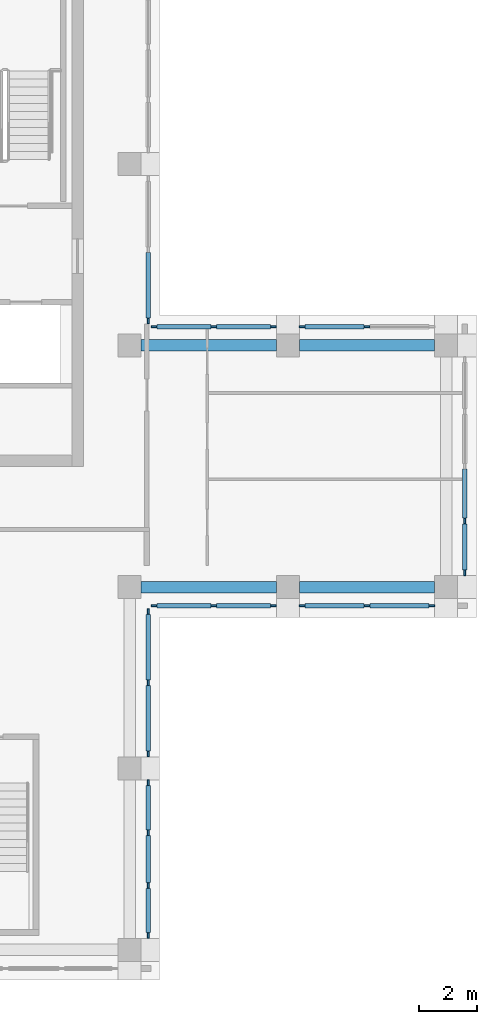
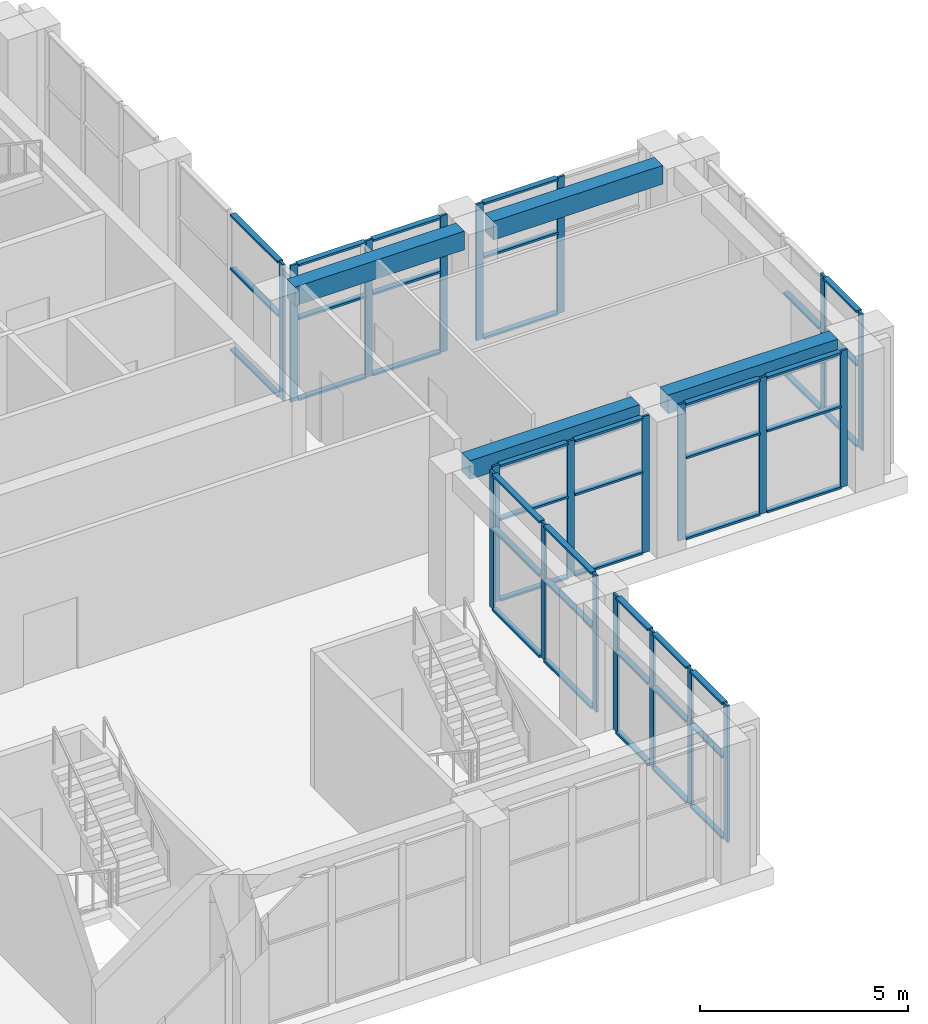
# One storey, part 5 of 14: 65 members, 4 beams, 8 elements without a shape of their own.
"""IFC4 building model written with IfcOpenShell, lengths in metres."""

import ifcopenshell
import ifcopenshell.guid

model = None  # the IFC model being written
_history = None  # IfcOwnerHistory: only IFC2X3 demands one
_inside = {}  # id of a spatial element -> (the spatial element, [elements in it])
_under = {}  # id of a project, library or spatial element -> (it, [spatial elements below it])
_declared = {}  # id of a project -> (the project, [libraries it declares])
_typed = {}  # id of a type object -> (the type object, [elements of that type])
_made_of = {}  # id of a material, layer set ... -> (it, [elements and type objects made of it])


def new_model(schema):
    """Start an empty IFC model of exactly this schema.

    Asked for "IFC4X3", IfcOpenShell would pick the latest addendum, in which some entities
    have other attributes; the version numbers below select the first issue.
    IFC2X3 requires an IfcOwnerHistory on every rooted entity: one is made here for all.
    """
    global model, _history
    if schema == "IFC4X3":
        model = ifcopenshell.file(schema_version=(4, 3, 0, 0))
    else:
        model = ifcopenshell.file(schema=schema)
    _inside.clear()
    _under.clear()
    _declared.clear()
    _typed.clear()
    _made_of.clear()
    _history = None
    if model.schema == "IFC2X3":
        org = make("IfcOrganization", Name="unknown")
        user = make(
            "IfcPersonAndOrganization",
            ThePerson=make("IfcPerson", FamilyName="unknown"),
            TheOrganization=org,
        )
        app = make(
            "IfcApplication",
            ApplicationDeveloper=org,
            Version="unknown",
            ApplicationFullName="unknown",
            ApplicationIdentifier="unknown",
        )
        _history = make(
            "IfcOwnerHistory",
            OwningUser=user,
            OwningApplication=app,
            ChangeAction="ADDED",
            CreationDate=0,
        )
    return model


def make(cls, **values):
    """One entity of the class cls with the attributes given. An attribute that is None is left unset."""
    return model.create_entity(
        cls, **{name: value for name, value in values.items() if value is not None}
    )


def rooted(cls, **values):
    """An entity with a GlobalId (a new one), such as an element, a storey or a relation."""
    return make(cls, GlobalId=ifcopenshell.guid.new(), OwnerHistory=_history, **values)


def si_unit(unit_type, name, prefix=None):
    """IfcSIUnit, for example si_unit("LENGTHUNIT", "METRE", prefix="MILLI")."""
    return make("IfcSIUnit", UnitType=unit_type, Prefix=prefix, Name=name)


def assignment(units):
    """IfcUnitAssignment: the units of a project."""
    return None if units is None else make("IfcUnitAssignment", Units=units)


def point(xyz):
    """IfcCartesianPoint."""
    return None if xyz is None else make("IfcCartesianPoint", Coordinates=xyz)


def direction(xyz):
    """IfcDirection."""
    return None if xyz is None else make("IfcDirection", DirectionRatios=xyz)


def frame(location, z_axis=None, x_axis=None):
    """IfcAxis2Placement3D, a coordinate frame: its origin and axes. An axis left out is left unset."""
    return make(
        "IfcAxis2Placement3D",
        Location=point(location),
        Axis=direction(z_axis),
        RefDirection=direction(x_axis),
    )


def frame_2d(location, x_axis=None):
    """IfcAxis2Placement2D, a coordinate frame in the plane: its origin and x axis."""
    return make(
        "IfcAxis2Placement2D", Location=point(location), RefDirection=direction(x_axis)
    )


def origin():
    """The frame at (0, 0, 0) with its axes left unset."""
    return frame((0.0, 0.0, 0.0))


def origin_2d():
    """The frame at (0, 0) in the plane with its x axis left unset."""
    return frame_2d((0.0, 0.0))


def place(relative_to, where):
    """IfcLocalPlacement: puts the frame where relative to a parent placement (None: the world)."""
    return make(
        "IfcLocalPlacement", PlacementRelTo=relative_to, RelativePlacement=where
    )


def context(
    kind, dimensions, precision=None, world=None, true_north=None, identifier=None
):
    """IfcGeometricRepresentationContext, for example the 3D "Model" context."""
    return make(
        "IfcGeometricRepresentationContext",
        ContextIdentifier=identifier,
        ContextType=kind,
        CoordinateSpaceDimension=dimensions,
        Precision=precision,
        WorldCoordinateSystem=world,
        TrueNorth=true_north,
    )


def subcontext(parent, identifier, kind, view, scale=None):
    """IfcGeometricRepresentationSubContext, for example "Body" below "Model"."""
    return make(
        "IfcGeometricRepresentationSubContext",
        ContextIdentifier=identifier,
        ContextType=kind,
        ParentContext=parent,
        TargetScale=scale,
        TargetView=view,
    )


def project(units=None, contexts=None):
    """IfcProject with its units and contexts."""
    return rooted(
        "IfcProject",
        Name="project",
        RepresentationContexts=contexts,
        UnitsInContext=assignment(units),
    )


def spatial(cls, under=None, at=None, **own):
    """A site, building, storey or space (cls), placed at a placement, below another one or the project."""
    s = rooted(cls, ObjectPlacement=at, **own)
    if under is not None:
        _under.setdefault(under.id(), (under, []))[1].append(s)
    return s


def profile(cls, at=None, kind="AREA", **sizes):
    """A parametric profile (cls). Its sizes go by their IFC names, for example OverallWidth=200.0."""
    return make(cls, ProfileType=kind, Position=at, **sizes)


def rectangle(**sizes):
    """IfcRectangleProfileDef."""
    return profile("IfcRectangleProfileDef", **sizes)


def extrude(swept, where, along, depth):
    """IfcExtrudedAreaSolid: the profile swept, set in the frame where, extruded along a direction by depth."""
    return make(
        "IfcExtrudedAreaSolid",
        SweptArea=swept,
        Position=where,
        ExtrudedDirection=direction(along),
        Depth=depth,
    )


def shape(context_of_items, identifier, shape_type, items):
    """IfcShapeRepresentation: the items that make up one representation, for example the "Body"."""
    return make(
        "IfcShapeRepresentation",
        ContextOfItems=context_of_items,
        RepresentationIdentifier=identifier,
        RepresentationType=shape_type,
        Items=items,
    )


def material(Name=None, Category=None):
    """IfcMaterial."""
    return make("IfcMaterial", Name=Name, Category=Category)


def material_profile(
    of_material, cross_section, Name=None, Category=None, Priority=None
):
    """IfcMaterialProfile: a cross section and its material."""
    return make(
        "IfcMaterialProfile",
        Name=Name,
        Material=of_material,
        Profile=cross_section,
        Priority=Priority,
        Category=Category,
    )


def profile_set(profiles, Name=None, composite=None):
    """IfcMaterialProfileSet."""
    return make(
        "IfcMaterialProfileSet",
        Name=Name,
        MaterialProfiles=profiles,
        CompositeProfile=composite,
    )


def made_of(thing, what):
    """Note that an element or type object is made of a material, layer set ...; save() writes the relation."""
    if what is not None:
        _made_of.setdefault(what.id(), (what, []))[1].append(thing)
    return thing


def type_object(cls, material=None, **own):
    """A type object (cls), such as IfcWallType, which elements share."""
    return made_of(rooted(cls, **own), material)


def element(
    cls,
    number,
    at=None,
    inside=None,
    cuts=None,
    type_object=None,
    material=None,
    context=None,
    identifier="Body",
    shape_type=None,
    held_by="IfcProductDefinitionShape",
    body=None,
    shapes=None,
    **own,
):
    """One element of the class cls, such as IfcWall. Its Tag is "e" and its number.

    at: its placement. inside: the storey or other place that contains it. cuts: it is an
    opening in that element (IfcRelVoidsElement). A single representation is given by context,
    identifier, shape_type and body (its items); several are given by shapes. held_by: the class
    of the entity that holds the representations. save() writes the other relations.
    """
    e = rooted(cls, Tag="e%d" % number, ObjectPlacement=at, **own)
    if body is not None:
        shapes = [shape(context, identifier, shape_type, body)]
    if shapes is not None:
        e.Representation = make(held_by, Representations=shapes)
    if inside is not None:
        _inside.setdefault(inside.id(), (inside, []))[1].append(e)
    if cuts is not None:
        rooted(
            "IfcRelVoidsElement", RelatingBuildingElement=cuts, RelatedOpeningElement=e
        )
    if type_object is not None:
        _typed.setdefault(type_object.id(), (type_object, []))[1].append(e)
    return made_of(e, material)


def aggregate(whole, parts):
    """IfcRelAggregates: a whole, such as a stair, and the parts it consists of."""
    return rooted("IfcRelAggregates", RelatingObject=whole, RelatedObjects=parts)


def save(model, path):
    """Write the relations noted so far, then the file.

    IfcRelAggregates (storeys below a building ...), IfcRelContainedInSpatialStructure (elements
    in a storey), IfcRelDefinesByType, IfcRelAssociatesMaterial and IfcRelDeclares: one each for
    every whole, place, type object, material and project.
    """
    for whole, parts in _under.values():
        aggregate(whole, parts)
    for where, things in _inside.values():
        rooted(
            "IfcRelContainedInSpatialStructure",
            RelatedElements=things,
            RelatingStructure=where,
        )
    for kind, things in _typed.values():
        rooted("IfcRelDefinesByType", RelatedObjects=things, RelatingType=kind)
    for what, things in _made_of.values():
        rooted("IfcRelAssociatesMaterial", RelatedObjects=things, RelatingMaterial=what)
    for by, libraries in _declared.values():
        rooted("IfcRelDeclares", RelatingContext=by, RelatedDefinitions=libraries)
    model.write(path)


model = new_model("IFC4")

# Units and contexts
model_context = context("Model", 3, precision=1e-05, world=origin(), true_north=direction((0.0, 1.0)))
body_context = subcontext(model_context, "Body", "Model", "MODEL_VIEW")
ifc_project = project(units=[si_unit("LENGTHUNIT", "METRE"), si_unit("AREAUNIT", "SQUARE_METRE"), si_unit("VOLUMEUNIT", "CUBIC_METRE"), si_unit("PLANEANGLEUNIT", "RADIAN"), si_unit("MASSUNIT", "GRAM", prefix="KILO")], contexts=[model_context])

# Site, building, storey
site_placement = place(None, origin())
site = spatial("IfcSite", under=ifc_project, at=site_placement, CompositionType="ELEMENT")
building_placement = place(site_placement, origin())
building = spatial("IfcBuilding", under=site, at=building_placement, Name="Vermilion Ogive Tower", CompositionType="ELEMENT")
storey_placement = place(building_placement, frame((0.0, 0.0, 289.35009765625)))
storey = spatial("IfcBuildingStorey", under=building, at=storey_placement, Name="L75", CompositionType="ELEMENT", Elevation=289.35009765625)

# Curtain wall, members
ifc_material_1 = material(Name="Low-iron laminated glazing in aluminium frame", Category="aluminium")
curtain_wall_type = type_object("IfcCurtainWallType", Name="Curtain wall CW3", PredefinedType="NOTDEFINED", material=ifc_material_1)
curtain_wall_1_placement = place(storey_placement, origin())
curtain_wall_1 = element("IfcCurtainWall", 1, at=curtain_wall_1_placement, inside=storey, type_object=curtain_wall_type, Name="CW3 glazing X11", PredefinedType="NOTDEFINED")
ifc_material_2 = material(Name="Aluminium mullion", Category="aluminium")
ifc_material_profile_1 = material_profile(ifc_material_2, rectangle(XDim=0.06005859375, YDim=0.199951171875, at=origin_2d()), Name="AL 60x200")
ifc_profile_set_1 = profile_set([ifc_material_profile_1], Name="Aluminium mullion")
member_type_1 = type_object("IfcMemberType", Name="CW3 mullion 60x200", PredefinedType="MULLION", material=ifc_profile_set_1)
member_1_placement = place(storey_placement, frame((10.64990234375, -12.10009765625, 0.0), z_axis=(0.0, 0.0, 1.0), x_axis=(-1.0, 0.0, 0.0)))
member_1 = element("IfcMember", 2, at=member_1_placement, type_object=member_type_1, Name="CW3-X11 mullion 1", PredefinedType="MULLION", context=body_context, shape_type="SweptSolid", body=[
    extrude(rectangle(XDim=0.06005859375, YDim=0.199951171875, at=origin_2d()), origin(), (0.0, 0.0, 1.0), 4.0),
])
member_2_placement = place(storey_placement, frame((10.64990234375, -10.36669921875, 0.0), z_axis=(0.0, 0.0, 1.0), x_axis=(-1.0, 0.0, 0.0)))
member_2 = element("IfcMember", 3, at=member_2_placement, type_object=member_type_1, Name="CW3-X11 mullion 2", PredefinedType="MULLION", context=body_context, shape_type="SweptSolid", body=[
    extrude(rectangle(XDim=0.06005859375, YDim=0.199951171875, at=origin_2d()), origin(), (0.0, 0.0, 1.0), 4.0),
])
member_3_placement = place(storey_placement, frame((10.64990234375, -8.533447265625, 0.0), z_axis=(0.0, 0.0, 1.0), x_axis=(-1.0, 0.0, 0.0)))
member_3 = element("IfcMember", 4, at=member_3_placement, type_object=member_type_1, Name="CW3-X11 mullion 3", PredefinedType="MULLION", context=body_context, shape_type="SweptSolid", body=[
    extrude(rectangle(XDim=0.06005859375, YDim=0.199951171875, at=origin_2d()), origin(), (0.0, 0.0, 1.0), 4.0),
])
member_4_placement = place(storey_placement, frame((10.64990234375, -6.800048828125, 0.0), z_axis=(0.0, 0.0, 1.0), x_axis=(-1.0, 0.0, 0.0)))
member_4 = element("IfcMember", 5, at=member_4_placement, type_object=member_type_1, Name="CW3-X11 mullion 4", PredefinedType="MULLION", context=body_context, shape_type="SweptSolid", body=[
    extrude(rectangle(XDim=0.06005859375, YDim=0.199951171875, at=origin_2d()), origin(), (0.0, 0.0, 1.0), 4.0),
])

curtain_wall_2_placement = place(storey_placement, origin())
curtain_wall_2 = element("IfcCurtainWall", 6, at=curtain_wall_2_placement, inside=storey, type_object=curtain_wall_type, Name="CW3 glazing X12", PredefinedType="NOTDEFINED")
member_5_placement = place(storey_placement, frame((10.64990234375, -5.800048828125, 0.0), z_axis=(0.0, 0.0, 1.0), x_axis=(-1.0, 0.0, 0.0)))
member_5 = element("IfcMember", 7, at=member_5_placement, type_object=member_type_1, Name="CW3-X12 mullion 1", PredefinedType="MULLION", context=body_context, shape_type="SweptSolid", body=[
    extrude(rectangle(XDim=0.06005859375, YDim=0.199951171875, at=origin_2d()), origin(), (0.0, 0.0, 1.0), 4.0),
])
member_6_placement = place(storey_placement, frame((10.64990234375, -3.324951171875, 0.0), z_axis=(0.0, 0.0, 1.0), x_axis=(-1.0, 0.0, 0.0)))
member_6 = element("IfcMember", 8, at=member_6_placement, type_object=member_type_1, Name="CW3-X12 mullion 2", PredefinedType="MULLION", context=body_context, shape_type="SweptSolid", body=[
    extrude(rectangle(XDim=0.06005859375, YDim=0.199951171875, at=origin_2d()), origin(), (0.0, 0.0, 1.0), 4.0),
])
member_7_placement = place(storey_placement, frame((10.64990234375, -0.85009765625, 0.0), z_axis=(0.0, 0.0, 1.0), x_axis=(-1.0, 0.0, 0.0)))
member_7 = element("IfcMember", 9, at=member_7_placement, type_object=member_type_1, Name="CW3-X12 mullion 3", PredefinedType="MULLION", context=body_context, shape_type="SweptSolid", body=[
    extrude(rectangle(XDim=0.06005859375, YDim=0.199951171875, at=origin_2d()), origin(), (0.0, 0.0, 1.0), 4.0),
])

curtain_wall_3_placement = place(storey_placement, origin())
curtain_wall_3 = element("IfcCurtainWall", 10, at=curtain_wall_3_placement, inside=storey, type_object=curtain_wall_type, Name="CW3 glazing X21", PredefinedType="NOTDEFINED")
member_8_placement = place(storey_placement, frame((10.85009765625, -0.64990234375, 0.0), z_axis=(0.0, 0.0, 1.0), x_axis=(0.0, 1.0, 0.0)))
member_8 = element("IfcMember", 11, at=member_8_placement, type_object=member_type_1, Name="CW3-X21 mullion 1", PredefinedType="MULLION", context=body_context, shape_type="SweptSolid", body=[
    extrude(rectangle(XDim=0.06005859375, YDim=0.199951171875, at=origin_2d()), origin(), (0.0, 0.0, 1.0), 4.0),
])
member_9_placement = place(storey_placement, frame((12.925048828125, -0.64990234375, 0.0), z_axis=(0.0, 0.0, 1.0), x_axis=(0.0, 1.0, 0.0)))
member_9 = element("IfcMember", 12, at=member_9_placement, type_object=member_type_1, Name="CW3-X21 mullion 2", PredefinedType="MULLION", context=body_context, shape_type="SweptSolid", body=[
    extrude(rectangle(XDim=0.06005859375, YDim=0.199951171875, at=origin_2d()), origin(), (0.0, 0.0, 1.0), 4.0),
])
member_10_placement = place(storey_placement, frame((15.0, -0.64990234375, 0.0), z_axis=(0.0, 0.0, 1.0), x_axis=(0.0, 1.0, 0.0)))
member_10 = element("IfcMember", 13, at=member_10_placement, type_object=member_type_1, Name="CW3-X21 mullion 3", PredefinedType="MULLION", context=body_context, shape_type="SweptSolid", body=[
    extrude(rectangle(XDim=0.06005859375, YDim=0.199951171875, at=origin_2d()), origin(), (0.0, 0.0, 1.0), 4.0),
])

curtain_wall_4_placement = place(storey_placement, origin())
curtain_wall_4 = element("IfcCurtainWall", 14, at=curtain_wall_4_placement, inside=storey, type_object=curtain_wall_type, Name="CW3 glazing X22", PredefinedType="NOTDEFINED")
member_11_placement = place(storey_placement, frame((16.0, -0.64990234375, 0.0), z_axis=(0.0, 0.0, 1.0), x_axis=(0.0, 1.0, 0.0)))
member_11 = element("IfcMember", 15, at=member_11_placement, type_object=member_type_1, Name="CW3-X22 mullion 1", PredefinedType="MULLION", context=body_context, shape_type="SweptSolid", body=[
    extrude(rectangle(XDim=0.06005859375, YDim=0.199951171875, at=origin_2d()), origin(), (0.0, 0.0, 1.0), 4.0),
])
member_12_placement = place(storey_placement, frame((18.25, -0.64990234375, 0.0), z_axis=(0.0, 0.0, 1.0), x_axis=(0.0, 1.0, 0.0)))
member_12 = element("IfcMember", 16, at=member_12_placement, type_object=member_type_1, Name="CW3-X22 mullion 2", PredefinedType="MULLION", context=body_context, shape_type="SweptSolid", body=[
    extrude(rectangle(XDim=0.06005859375, YDim=0.199951171875, at=origin_2d()), origin(), (0.0, 0.0, 1.0), 4.0),
])
member_13_placement = place(storey_placement, frame((20.5, -0.64990234375, 0.0), z_axis=(0.0, 0.0, 1.0), x_axis=(0.0, 1.0, 0.0)))
member_13 = element("IfcMember", 17, at=member_13_placement, type_object=member_type_1, Name="CW3-X22 mullion 3", PredefinedType="MULLION", context=body_context, shape_type="SweptSolid", body=[
    extrude(rectangle(XDim=0.06005859375, YDim=0.199951171875, at=origin_2d()), origin(), (0.0, 0.0, 1.0), 4.0),
])

curtain_wall_5_placement = place(storey_placement, origin())
curtain_wall_5 = element("IfcCurtainWall", 18, at=curtain_wall_5_placement, inside=storey, type_object=curtain_wall_type, Name="CW3 glazing E1", PredefinedType="NOTDEFINED")
member_14_placement = place(storey_placement, frame((21.64990234375, 0.5, 0.0), z_axis=(0.0, 0.0, 1.0), x_axis=(-1.0, 0.0, 0.0)))
member_14 = element("IfcMember", 19, at=member_14_placement, type_object=member_type_1, Name="CW3-E1 mullion 1", PredefinedType="MULLION", context=body_context, shape_type="SweptSolid", body=[
    extrude(rectangle(XDim=0.06005859375, YDim=0.199951171875, at=origin_2d()), origin(), (0.0, 0.0, 1.0), 4.0),
])
member_15_placement = place(storey_placement, frame((21.64990234375, 2.300048828125, 0.0), z_axis=(0.0, 0.0, 1.0), x_axis=(-1.0, 0.0, 0.0)))
member_15 = element("IfcMember", 20, at=member_15_placement, type_object=member_type_1, Name="CW3-E1 mullion 2", PredefinedType="MULLION", context=body_context, shape_type="SweptSolid", body=[
    extrude(rectangle(XDim=0.06005859375, YDim=0.199951171875, at=origin_2d()), origin(), (0.0, 0.0, 1.0), 4.0),
])

curtain_wall_6_placement = place(storey_placement, origin())
curtain_wall_6 = element("IfcCurtainWall", 21, at=curtain_wall_6_placement, inside=storey, type_object=curtain_wall_type, Name="CW3 glazing X31", PredefinedType="NOTDEFINED")
member_16_placement = place(storey_placement, frame((18.25, 9.050048828125, 0.0), z_axis=(0.0, 0.0, 1.0), x_axis=(0.0, -1.0, 0.0)))
member_16 = element("IfcMember", 22, at=member_16_placement, type_object=member_type_1, Name="CW3-X31 mullion 2", PredefinedType="MULLION", context=body_context, shape_type="SweptSolid", body=[
    extrude(rectangle(XDim=0.06005859375, YDim=0.199951171875, at=origin_2d()), origin(), (0.0, 0.0, 1.0), 4.0),
])
member_17_placement = place(storey_placement, frame((16.0, 9.050048828125, 0.0), z_axis=(0.0, 0.0, 1.0), x_axis=(0.0, -1.0, 0.0)))
member_17 = element("IfcMember", 23, at=member_17_placement, type_object=member_type_1, Name="CW3-X31 mullion 3", PredefinedType="MULLION", context=body_context, shape_type="SweptSolid", body=[
    extrude(rectangle(XDim=0.06005859375, YDim=0.199951171875, at=origin_2d()), origin(), (0.0, 0.0, 1.0), 4.0),
])

curtain_wall_7_placement = place(storey_placement, origin())
curtain_wall_7 = element("IfcCurtainWall", 24, at=curtain_wall_7_placement, inside=storey, type_object=curtain_wall_type, Name="CW3 glazing X32", PredefinedType="NOTDEFINED")
member_18_placement = place(storey_placement, frame((15.0, 9.050048828125, 0.0), z_axis=(0.0, 0.0, 1.0), x_axis=(0.0, -1.0, 0.0)))
member_18 = element("IfcMember", 25, at=member_18_placement, type_object=member_type_1, Name="CW3-X32 mullion 1", PredefinedType="MULLION", context=body_context, shape_type="SweptSolid", body=[
    extrude(rectangle(XDim=0.06005859375, YDim=0.199951171875, at=origin_2d()), origin(), (0.0, 0.0, 1.0), 4.0),
])
member_19_placement = place(storey_placement, frame((12.925048828125, 9.050048828125, 0.0), z_axis=(0.0, 0.0, 1.0), x_axis=(0.0, -1.0, 0.0)))
member_19 = element("IfcMember", 26, at=member_19_placement, type_object=member_type_1, Name="CW3-X32 mullion 2", PredefinedType="MULLION", context=body_context, shape_type="SweptSolid", body=[
    extrude(rectangle(XDim=0.06005859375, YDim=0.199951171875, at=origin_2d()), origin(), (0.0, 0.0, 1.0), 4.0),
])
member_20_placement = place(storey_placement, frame((10.85009765625, 9.050048828125, 0.0), z_axis=(0.0, 0.0, 1.0), x_axis=(0.0, -1.0, 0.0)))
member_20 = element("IfcMember", 27, at=member_20_placement, type_object=member_type_1, Name="CW3-X32 mullion 3", PredefinedType="MULLION", context=body_context, shape_type="SweptSolid", body=[
    extrude(rectangle(XDim=0.06005859375, YDim=0.199951171875, at=origin_2d()), origin(), (0.0, 0.0, 1.0), 4.0),
])

# Curtain wall, member
curtain_wall_8_placement = place(storey_placement, origin())
curtain_wall_8 = element("IfcCurtainWall", 28, at=curtain_wall_8_placement, inside=storey, type_object=curtain_wall_type, Name="CW3 glazing X41", PredefinedType="NOTDEFINED")
member_21_placement = place(storey_placement, frame((10.64990234375, 9.25, 0.0), z_axis=(0.0, 0.0, 1.0), x_axis=(-1.0, 0.0, 0.0)))
member_21 = element("IfcMember", 29, at=member_21_placement, type_object=member_type_1, Name="CW3-X41 mullion 1", PredefinedType="MULLION", context=body_context, shape_type="SweptSolid", body=[
    extrude(rectangle(XDim=0.06005859375, YDim=0.199951171875, at=origin_2d()), origin(), (0.0, 0.0, 1.0), 4.0),
])

# Member
ifc_material_3 = material(Name="Aluminium transom", Category="aluminium")
ifc_material_profile_2 = material_profile(ifc_material_3, rectangle(XDim=0.14990234375, YDim=0.06005859375, at=origin_2d()), Name="AL 60x150")
ifc_profile_set_2 = profile_set([ifc_material_profile_2], Name="Aluminium transom")
member_type_2 = type_object("IfcMemberType", Name="CW3 transom 60x150", PredefinedType="USERDEFINED", material=ifc_profile_set_2)
member_22_placement = place(storey_placement, frame((10.64990234375, -12.0, 0.02978515625), z_axis=(0.0, 1.0, 0.0), x_axis=(-1.0, 0.0, 0.0)))
member_22 = element("IfcMember", 30, at=member_22_placement, type_object=member_type_2, Name="CW3-X11 transom 1.1", ObjectType="TRANSOM", PredefinedType="USERDEFINED", context=body_context, shape_type="SweptSolid", body=[
    extrude(rectangle(XDim=0.14990234375, YDim=0.06005859375, at=origin_2d()), origin(), (0.0, 0.0, 1.0), 1.533447265625),
])

member_23_placement = place(storey_placement, frame((10.64990234375, -12.0, 2.39990234375), z_axis=(0.0, 1.0, 0.0), x_axis=(-1.0, 0.0, 0.0)))
member_23 = element("IfcMember", 31, at=member_23_placement, type_object=member_type_2, Name="CW3-X11 transom 1.2", ObjectType="TRANSOM", PredefinedType="USERDEFINED", context=body_context, shape_type="SweptSolid", body=[
    extrude(rectangle(XDim=0.14990234375, YDim=0.06005859375, at=origin_2d()), origin(), (0.0, 0.0, 1.0), 1.533447265625),
])

member_24_placement = place(storey_placement, frame((10.64990234375, -12.0, 3.969970703125), z_axis=(0.0, 1.0, 0.0), x_axis=(-1.0, 0.0, 0.0)))
member_24 = element("IfcMember", 32, at=member_24_placement, type_object=member_type_2, Name="CW3-X11 transom 1.3", ObjectType="TRANSOM", PredefinedType="USERDEFINED", context=body_context, shape_type="SweptSolid", body=[
    extrude(rectangle(XDim=0.14990234375, YDim=0.06005859375, at=origin_2d()), origin(), (0.0, 0.0, 1.0), 1.533447265625),
])

member_25_placement = place(storey_placement, frame((10.64990234375, -10.2666015625, 0.02978515625), z_axis=(0.0, 1.0, 0.0), x_axis=(-1.0, 0.0, 0.0)))
member_25 = element("IfcMember", 33, at=member_25_placement, type_object=member_type_2, Name="CW3-X11 transom 2.1", ObjectType="TRANSOM", PredefinedType="USERDEFINED", context=body_context, shape_type="SweptSolid", body=[
    extrude(rectangle(XDim=0.14990234375, YDim=0.06005859375, at=origin_2d()), origin(), (0.0, 0.0, 1.0), 1.63330078125),
])

member_26_placement = place(storey_placement, frame((10.64990234375, -10.2666015625, 2.39990234375), z_axis=(0.0, 1.0, 0.0), x_axis=(-1.0, 0.0, 0.0)))
member_26 = element("IfcMember", 34, at=member_26_placement, type_object=member_type_2, Name="CW3-X11 transom 2.2", ObjectType="TRANSOM", PredefinedType="USERDEFINED", context=body_context, shape_type="SweptSolid", body=[
    extrude(rectangle(XDim=0.14990234375, YDim=0.06005859375, at=origin_2d()), origin(), (0.0, 0.0, 1.0), 1.63330078125),
])

member_27_placement = place(storey_placement, frame((10.64990234375, -10.2666015625, 3.969970703125), z_axis=(0.0, 1.0, 0.0), x_axis=(-1.0, 0.0, 0.0)))
member_27 = element("IfcMember", 35, at=member_27_placement, type_object=member_type_2, Name="CW3-X11 transom 2.3", ObjectType="TRANSOM", PredefinedType="USERDEFINED", context=body_context, shape_type="SweptSolid", body=[
    extrude(rectangle(XDim=0.14990234375, YDim=0.06005859375, at=origin_2d()), origin(), (0.0, 0.0, 1.0), 1.63330078125),
])

member_28_placement = place(storey_placement, frame((10.64990234375, -8.433349609375, 0.02978515625), z_axis=(0.0, 1.0, 0.0), x_axis=(-1.0, 0.0, 0.0)))
member_28 = element("IfcMember", 36, at=member_28_placement, type_object=member_type_2, Name="CW3-X11 transom 3.1", ObjectType="TRANSOM", PredefinedType="USERDEFINED", context=body_context, shape_type="SweptSolid", body=[
    extrude(rectangle(XDim=0.14990234375, YDim=0.06005859375, at=origin_2d()), origin(), (0.0, 0.0, 1.0), 1.533447265625),
])

member_29_placement = place(storey_placement, frame((10.64990234375, -8.433349609375, 2.39990234375), z_axis=(0.0, 1.0, 0.0), x_axis=(-1.0, 0.0, 0.0)))
member_29 = element("IfcMember", 37, at=member_29_placement, type_object=member_type_2, Name="CW3-X11 transom 3.2", ObjectType="TRANSOM", PredefinedType="USERDEFINED", context=body_context, shape_type="SweptSolid", body=[
    extrude(rectangle(XDim=0.14990234375, YDim=0.06005859375, at=origin_2d()), origin(), (0.0, 0.0, 1.0), 1.533447265625),
])

member_30_placement = place(storey_placement, frame((10.64990234375, -8.433349609375, 3.969970703125), z_axis=(0.0, 1.0, 0.0), x_axis=(-1.0, 0.0, 0.0)))
member_30 = element("IfcMember", 38, at=member_30_placement, type_object=member_type_2, Name="CW3-X11 transom 3.3", ObjectType="TRANSOM", PredefinedType="USERDEFINED", context=body_context, shape_type="SweptSolid", body=[
    extrude(rectangle(XDim=0.14990234375, YDim=0.06005859375, at=origin_2d()), origin(), (0.0, 0.0, 1.0), 1.533447265625),
])

aggregate(curtain_wall_1, [member_1, member_2, member_3, member_4, member_22, member_23, member_24, member_25, member_26, member_27, member_28, member_29, member_30])

member_31_placement = place(storey_placement, frame((10.64990234375, -5.699951171875, 0.02978515625), z_axis=(0.0, 1.0, 0.0), x_axis=(-1.0, 0.0, 0.0)))
member_31 = element("IfcMember", 39, at=member_31_placement, type_object=member_type_2, Name="CW3-X12 transom 1.1", ObjectType="TRANSOM", PredefinedType="USERDEFINED", context=body_context, shape_type="SweptSolid", body=[
    extrude(rectangle(XDim=0.14990234375, YDim=0.06005859375, at=origin_2d()), origin(), (0.0, 0.0, 1.0), 2.27490234375),
])

member_32_placement = place(storey_placement, frame((10.64990234375, -5.699951171875, 2.39990234375), z_axis=(0.0, 1.0, 0.0), x_axis=(-1.0, 0.0, 0.0)))
member_32 = element("IfcMember", 40, at=member_32_placement, type_object=member_type_2, Name="CW3-X12 transom 1.2", ObjectType="TRANSOM", PredefinedType="USERDEFINED", context=body_context, shape_type="SweptSolid", body=[
    extrude(rectangle(XDim=0.14990234375, YDim=0.06005859375, at=origin_2d()), origin(), (0.0, 0.0, 1.0), 2.27490234375),
])

member_33_placement = place(storey_placement, frame((10.64990234375, -5.699951171875, 3.969970703125), z_axis=(0.0, 1.0, 0.0), x_axis=(-1.0, 0.0, 0.0)))
member_33 = element("IfcMember", 41, at=member_33_placement, type_object=member_type_2, Name="CW3-X12 transom 1.3", ObjectType="TRANSOM", PredefinedType="USERDEFINED", context=body_context, shape_type="SweptSolid", body=[
    extrude(rectangle(XDim=0.14990234375, YDim=0.06005859375, at=origin_2d()), origin(), (0.0, 0.0, 1.0), 2.27490234375),
])

member_34_placement = place(storey_placement, frame((10.64990234375, -3.22509765625, 0.02978515625), z_axis=(0.0, 1.0, 0.0), x_axis=(-1.0, 0.0, 0.0)))
member_34 = element("IfcMember", 42, at=member_34_placement, type_object=member_type_2, Name="CW3-X12 transom 2.1", ObjectType="TRANSOM", PredefinedType="USERDEFINED", context=body_context, shape_type="SweptSolid", body=[
    extrude(rectangle(XDim=0.14990234375, YDim=0.06005859375, at=origin_2d()), origin(), (0.0, 0.0, 1.0), 2.275146484375),
])

member_35_placement = place(storey_placement, frame((10.64990234375, -3.22509765625, 2.39990234375), z_axis=(0.0, 1.0, 0.0), x_axis=(-1.0, 0.0, 0.0)))
member_35 = element("IfcMember", 43, at=member_35_placement, type_object=member_type_2, Name="CW3-X12 transom 2.2", ObjectType="TRANSOM", PredefinedType="USERDEFINED", context=body_context, shape_type="SweptSolid", body=[
    extrude(rectangle(XDim=0.14990234375, YDim=0.06005859375, at=origin_2d()), origin(), (0.0, 0.0, 1.0), 2.275146484375),
])

member_36_placement = place(storey_placement, frame((10.64990234375, -3.22509765625, 3.969970703125), z_axis=(0.0, 1.0, 0.0), x_axis=(-1.0, 0.0, 0.0)))
member_36 = element("IfcMember", 44, at=member_36_placement, type_object=member_type_2, Name="CW3-X12 transom 2.3", ObjectType="TRANSOM", PredefinedType="USERDEFINED", context=body_context, shape_type="SweptSolid", body=[
    extrude(rectangle(XDim=0.14990234375, YDim=0.06005859375, at=origin_2d()), origin(), (0.0, 0.0, 1.0), 2.275146484375),
])

aggregate(curtain_wall_2, [member_5, member_6, member_7, member_31, member_32, member_33, member_34, member_35, member_36])

member_37_placement = place(storey_placement, frame((10.949951171875, -0.64990234375, 0.02978515625), z_axis=(1.0, 0.0, 0.0), x_axis=(0.0, 1.0, 0.0)))
member_37 = element("IfcMember", 45, at=member_37_placement, type_object=member_type_2, Name="CW3-X21 transom 1.1", ObjectType="TRANSOM", PredefinedType="USERDEFINED", context=body_context, shape_type="SweptSolid", body=[
    extrude(rectangle(XDim=0.14990234375, YDim=0.06005859375, at=origin_2d()), origin(), (0.0, 0.0, 1.0), 1.875),
])

member_38_placement = place(storey_placement, frame((10.949951171875, -0.64990234375, 2.39990234375), z_axis=(1.0, 0.0, 0.0), x_axis=(0.0, 1.0, 0.0)))
member_38 = element("IfcMember", 46, at=member_38_placement, type_object=member_type_2, Name="CW3-X21 transom 1.2", ObjectType="TRANSOM", PredefinedType="USERDEFINED", context=body_context, shape_type="SweptSolid", body=[
    extrude(rectangle(XDim=0.14990234375, YDim=0.06005859375, at=origin_2d()), origin(), (0.0, 0.0, 1.0), 1.875),
])

member_39_placement = place(storey_placement, frame((10.949951171875, -0.64990234375, 3.969970703125), z_axis=(1.0, 0.0, 0.0), x_axis=(0.0, 1.0, 0.0)))
member_39 = element("IfcMember", 47, at=member_39_placement, type_object=member_type_2, Name="CW3-X21 transom 1.3", ObjectType="TRANSOM", PredefinedType="USERDEFINED", context=body_context, shape_type="SweptSolid", body=[
    extrude(rectangle(XDim=0.14990234375, YDim=0.06005859375, at=origin_2d()), origin(), (0.0, 0.0, 1.0), 1.875),
])

member_40_placement = place(storey_placement, frame((13.02490234375, -0.64990234375, 0.02978515625), z_axis=(1.0, 0.0, 0.0), x_axis=(0.0, 1.0, 0.0)))
member_40 = element("IfcMember", 48, at=member_40_placement, type_object=member_type_2, Name="CW3-X21 transom 2.1", ObjectType="TRANSOM", PredefinedType="USERDEFINED", context=body_context, shape_type="SweptSolid", body=[
    extrude(rectangle(XDim=0.14990234375, YDim=0.06005859375, at=origin_2d()), origin(), (0.0, 0.0, 1.0), 1.875),
])

member_41_placement = place(storey_placement, frame((13.02490234375, -0.64990234375, 2.39990234375), z_axis=(1.0, 0.0, 0.0), x_axis=(0.0, 1.0, 0.0)))
member_41 = element("IfcMember", 49, at=member_41_placement, type_object=member_type_2, Name="CW3-X21 transom 2.2", ObjectType="TRANSOM", PredefinedType="USERDEFINED", context=body_context, shape_type="SweptSolid", body=[
    extrude(rectangle(XDim=0.14990234375, YDim=0.06005859375, at=origin_2d()), origin(), (0.0, 0.0, 1.0), 1.875),
])

member_42_placement = place(storey_placement, frame((13.02490234375, -0.64990234375, 3.969970703125), z_axis=(1.0, 0.0, 0.0), x_axis=(0.0, 1.0, 0.0)))
member_42 = element("IfcMember", 50, at=member_42_placement, type_object=member_type_2, Name="CW3-X21 transom 2.3", ObjectType="TRANSOM", PredefinedType="USERDEFINED", context=body_context, shape_type="SweptSolid", body=[
    extrude(rectangle(XDim=0.14990234375, YDim=0.06005859375, at=origin_2d()), origin(), (0.0, 0.0, 1.0), 1.875),
])

aggregate(curtain_wall_3, [member_8, member_9, member_10, member_37, member_38, member_39, member_40, member_41, member_42])

member_43_placement = place(storey_placement, frame((16.10009765625, -0.64990234375, 0.02978515625), z_axis=(1.0, 0.0, 0.0), x_axis=(0.0, 1.0, 0.0)))
member_43 = element("IfcMember", 51, at=member_43_placement, type_object=member_type_2, Name="CW3-X22 transom 1.1", ObjectType="TRANSOM", PredefinedType="USERDEFINED", context=body_context, shape_type="SweptSolid", body=[
    extrude(rectangle(XDim=0.14990234375, YDim=0.06005859375, at=origin_2d()), origin(), (0.0, 0.0, 1.0), 2.0498046875),
])

member_44_placement = place(storey_placement, frame((16.10009765625, -0.64990234375, 2.39990234375), z_axis=(1.0, 0.0, 0.0), x_axis=(0.0, 1.0, 0.0)))
member_44 = element("IfcMember", 52, at=member_44_placement, type_object=member_type_2, Name="CW3-X22 transom 1.2", ObjectType="TRANSOM", PredefinedType="USERDEFINED", context=body_context, shape_type="SweptSolid", body=[
    extrude(rectangle(XDim=0.14990234375, YDim=0.06005859375, at=origin_2d()), origin(), (0.0, 0.0, 1.0), 2.0498046875),
])

member_45_placement = place(storey_placement, frame((16.10009765625, -0.64990234375, 3.969970703125), z_axis=(1.0, 0.0, 0.0), x_axis=(0.0, 1.0, 0.0)))
member_45 = element("IfcMember", 53, at=member_45_placement, type_object=member_type_2, Name="CW3-X22 transom 1.3", ObjectType="TRANSOM", PredefinedType="USERDEFINED", context=body_context, shape_type="SweptSolid", body=[
    extrude(rectangle(XDim=0.14990234375, YDim=0.06005859375, at=origin_2d()), origin(), (0.0, 0.0, 1.0), 2.0498046875),
])

member_46_placement = place(storey_placement, frame((18.35009765625, -0.64990234375, 0.02978515625), z_axis=(1.0, 0.0, 0.0), x_axis=(0.0, 1.0, 0.0)))
member_46 = element("IfcMember", 54, at=member_46_placement, type_object=member_type_2, Name="CW3-X22 transom 2.1", ObjectType="TRANSOM", PredefinedType="USERDEFINED", context=body_context, shape_type="SweptSolid", body=[
    extrude(rectangle(XDim=0.14990234375, YDim=0.06005859375, at=origin_2d()), origin(), (0.0, 0.0, 1.0), 2.0498046875),
])

member_47_placement = place(storey_placement, frame((18.35009765625, -0.64990234375, 2.39990234375), z_axis=(1.0, 0.0, 0.0), x_axis=(0.0, 1.0, 0.0)))
member_47 = element("IfcMember", 55, at=member_47_placement, type_object=member_type_2, Name="CW3-X22 transom 2.2", ObjectType="TRANSOM", PredefinedType="USERDEFINED", context=body_context, shape_type="SweptSolid", body=[
    extrude(rectangle(XDim=0.14990234375, YDim=0.06005859375, at=origin_2d()), origin(), (0.0, 0.0, 1.0), 2.0498046875),
])

member_48_placement = place(storey_placement, frame((18.35009765625, -0.64990234375, 3.969970703125), z_axis=(1.0, 0.0, 0.0), x_axis=(0.0, 1.0, 0.0)))
member_48 = element("IfcMember", 56, at=member_48_placement, type_object=member_type_2, Name="CW3-X22 transom 2.3", ObjectType="TRANSOM", PredefinedType="USERDEFINED", context=body_context, shape_type="SweptSolid", body=[
    extrude(rectangle(XDim=0.14990234375, YDim=0.06005859375, at=origin_2d()), origin(), (0.0, 0.0, 1.0), 2.0498046875),
])

aggregate(curtain_wall_4, [member_11, member_12, member_13, member_43, member_44, member_45, member_46, member_47, member_48])

member_49_placement = place(storey_placement, frame((21.64990234375, 0.60009765625, 0.02978515625), z_axis=(0.0, 1.0, 0.0), x_axis=(-1.0, 0.0, 0.0)))
member_49 = element("IfcMember", 57, at=member_49_placement, type_object=member_type_2, Name="CW3-E1 transom 1.1", ObjectType="TRANSOM", PredefinedType="USERDEFINED", context=body_context, shape_type="SweptSolid", body=[
    extrude(rectangle(XDim=0.14990234375, YDim=0.06005859375, at=origin_2d()), origin(), (0.0, 0.0, 1.0), 1.599853515625),
])

member_50_placement = place(storey_placement, frame((21.64990234375, 0.60009765625, 2.39990234375), z_axis=(0.0, 1.0, 0.0), x_axis=(-1.0, 0.0, 0.0)))
member_50 = element("IfcMember", 58, at=member_50_placement, type_object=member_type_2, Name="CW3-E1 transom 1.2", ObjectType="TRANSOM", PredefinedType="USERDEFINED", context=body_context, shape_type="SweptSolid", body=[
    extrude(rectangle(XDim=0.14990234375, YDim=0.06005859375, at=origin_2d()), origin(), (0.0, 0.0, 1.0), 1.599853515625),
])

member_51_placement = place(storey_placement, frame((21.64990234375, 0.60009765625, 3.969970703125), z_axis=(0.0, 1.0, 0.0), x_axis=(-1.0, 0.0, 0.0)))
member_51 = element("IfcMember", 59, at=member_51_placement, type_object=member_type_2, Name="CW3-E1 transom 1.3", ObjectType="TRANSOM", PredefinedType="USERDEFINED", context=body_context, shape_type="SweptSolid", body=[
    extrude(rectangle(XDim=0.14990234375, YDim=0.06005859375, at=origin_2d()), origin(), (0.0, 0.0, 1.0), 1.599853515625),
])

member_52_placement = place(storey_placement, frame((21.64990234375, 2.39990234375, 0.02978515625), z_axis=(0.0, 1.0, 0.0), x_axis=(-1.0, 0.0, 0.0)))
member_52 = element("IfcMember", 60, at=member_52_placement, type_object=member_type_2, Name="CW3-E1 transom 2.1", ObjectType="TRANSOM", PredefinedType="USERDEFINED", context=body_context, shape_type="SweptSolid", body=[
    extrude(rectangle(XDim=0.14990234375, YDim=0.06005859375, at=origin_2d()), origin(), (0.0, 0.0, 1.0), 1.7001953125),
])

member_53_placement = place(storey_placement, frame((21.64990234375, 2.39990234375, 2.39990234375), z_axis=(0.0, 1.0, 0.0), x_axis=(-1.0, 0.0, 0.0)))
member_53 = element("IfcMember", 61, at=member_53_placement, type_object=member_type_2, Name="CW3-E1 transom 2.2", ObjectType="TRANSOM", PredefinedType="USERDEFINED", context=body_context, shape_type="SweptSolid", body=[
    extrude(rectangle(XDim=0.14990234375, YDim=0.06005859375, at=origin_2d()), origin(), (0.0, 0.0, 1.0), 1.7001953125),
])

aggregate(curtain_wall_5, [member_14, member_15, member_49, member_50, member_51, member_52, member_53])

member_54_placement = place(storey_placement, frame((18.14990234375, 9.050048828125, 0.02978515625), z_axis=(-1.0, 0.0, 0.0), x_axis=(0.0, -1.0, 0.0)))
member_54 = element("IfcMember", 62, at=member_54_placement, type_object=member_type_2, Name="CW3-X31 transom 2.1", ObjectType="TRANSOM", PredefinedType="USERDEFINED", context=body_context, shape_type="SweptSolid", body=[
    extrude(rectangle(XDim=0.14990234375, YDim=0.06005859375, at=origin_2d()), origin(), (0.0, 0.0, 1.0), 2.0498046875),
])

member_55_placement = place(storey_placement, frame((18.14990234375, 9.050048828125, 2.39990234375), z_axis=(-1.0, 0.0, 0.0), x_axis=(0.0, -1.0, 0.0)))
member_55 = element("IfcMember", 63, at=member_55_placement, type_object=member_type_2, Name="CW3-X31 transom 2.2", ObjectType="TRANSOM", PredefinedType="USERDEFINED", context=body_context, shape_type="SweptSolid", body=[
    extrude(rectangle(XDim=0.14990234375, YDim=0.06005859375, at=origin_2d()), origin(), (0.0, 0.0, 1.0), 2.0498046875),
])

member_56_placement = place(storey_placement, frame((18.14990234375, 9.050048828125, 3.969970703125), z_axis=(-1.0, 0.0, 0.0), x_axis=(0.0, -1.0, 0.0)))
member_56 = element("IfcMember", 64, at=member_56_placement, type_object=member_type_2, Name="CW3-X31 transom 2.3", ObjectType="TRANSOM", PredefinedType="USERDEFINED", context=body_context, shape_type="SweptSolid", body=[
    extrude(rectangle(XDim=0.14990234375, YDim=0.06005859375, at=origin_2d()), origin(), (0.0, 0.0, 1.0), 2.0498046875),
])

aggregate(curtain_wall_6, [member_16, member_17, member_54, member_55, member_56])

member_57_placement = place(storey_placement, frame((14.89990234375, 9.050048828125, 0.02978515625), z_axis=(-1.0, 0.0, 0.0), x_axis=(0.0, -1.0, 0.0)))
member_57 = element("IfcMember", 65, at=member_57_placement, type_object=member_type_2, Name="CW3-X32 transom 1.1", ObjectType="TRANSOM", PredefinedType="USERDEFINED", context=body_context, shape_type="SweptSolid", body=[
    extrude(rectangle(XDim=0.14990234375, YDim=0.06005859375, at=origin_2d()), origin(), (0.0, 0.0, 1.0), 1.875),
])

member_58_placement = place(storey_placement, frame((14.89990234375, 9.050048828125, 2.39990234375), z_axis=(-1.0, 0.0, 0.0), x_axis=(0.0, -1.0, 0.0)))
member_58 = element("IfcMember", 66, at=member_58_placement, type_object=member_type_2, Name="CW3-X32 transom 1.2", ObjectType="TRANSOM", PredefinedType="USERDEFINED", context=body_context, shape_type="SweptSolid", body=[
    extrude(rectangle(XDim=0.14990234375, YDim=0.06005859375, at=origin_2d()), origin(), (0.0, 0.0, 1.0), 1.875),
])

member_59_placement = place(storey_placement, frame((14.89990234375, 9.050048828125, 3.969970703125), z_axis=(-1.0, 0.0, 0.0), x_axis=(0.0, -1.0, 0.0)))
member_59 = element("IfcMember", 67, at=member_59_placement, type_object=member_type_2, Name="CW3-X32 transom 1.3", ObjectType="TRANSOM", PredefinedType="USERDEFINED", context=body_context, shape_type="SweptSolid", body=[
    extrude(rectangle(XDim=0.14990234375, YDim=0.06005859375, at=origin_2d()), origin(), (0.0, 0.0, 1.0), 1.875),
])

member_60_placement = place(storey_placement, frame((12.824951171875, 9.050048828125, 0.02978515625), z_axis=(-1.0, 0.0, 0.0), x_axis=(0.0, -1.0, 0.0)))
member_60 = element("IfcMember", 68, at=member_60_placement, type_object=member_type_2, Name="CW3-X32 transom 2.1", ObjectType="TRANSOM", PredefinedType="USERDEFINED", context=body_context, shape_type="SweptSolid", body=[
    extrude(rectangle(XDim=0.14990234375, YDim=0.06005859375, at=origin_2d()), origin(), (0.0, 0.0, 1.0), 1.875),
])

member_61_placement = place(storey_placement, frame((12.824951171875, 9.050048828125, 2.39990234375), z_axis=(-1.0, 0.0, 0.0), x_axis=(0.0, -1.0, 0.0)))
member_61 = element("IfcMember", 69, at=member_61_placement, type_object=member_type_2, Name="CW3-X32 transom 2.2", ObjectType="TRANSOM", PredefinedType="USERDEFINED", context=body_context, shape_type="SweptSolid", body=[
    extrude(rectangle(XDim=0.14990234375, YDim=0.06005859375, at=origin_2d()), origin(), (0.0, 0.0, 1.0), 1.875),
])

member_62_placement = place(storey_placement, frame((12.824951171875, 9.050048828125, 3.969970703125), z_axis=(-1.0, 0.0, 0.0), x_axis=(0.0, -1.0, 0.0)))
member_62 = element("IfcMember", 70, at=member_62_placement, type_object=member_type_2, Name="CW3-X32 transom 2.3", ObjectType="TRANSOM", PredefinedType="USERDEFINED", context=body_context, shape_type="SweptSolid", body=[
    extrude(rectangle(XDim=0.14990234375, YDim=0.06005859375, at=origin_2d()), origin(), (0.0, 0.0, 1.0), 1.875),
])

aggregate(curtain_wall_7, [member_18, member_19, member_20, member_57, member_58, member_59, member_60, member_61, member_62])

member_63_placement = place(storey_placement, frame((10.64990234375, 9.35009765625, 0.02978515625), z_axis=(0.0, 1.0, 0.0), x_axis=(-1.0, 0.0, 0.0)))
member_63 = element("IfcMember", 71, at=member_63_placement, type_object=member_type_2, Name="CW3-X41 transom 1.1", ObjectType="TRANSOM", PredefinedType="USERDEFINED", context=body_context, shape_type="SweptSolid", body=[
    extrude(rectangle(XDim=0.14990234375, YDim=0.06005859375, at=origin_2d()), origin(), (0.0, 0.0, 1.0), 2.27490234375),
])

member_64_placement = place(storey_placement, frame((10.64990234375, 9.35009765625, 2.39990234375), z_axis=(0.0, 1.0, 0.0), x_axis=(-1.0, 0.0, 0.0)))
member_64 = element("IfcMember", 72, at=member_64_placement, type_object=member_type_2, Name="CW3-X41 transom 1.2", ObjectType="TRANSOM", PredefinedType="USERDEFINED", context=body_context, shape_type="SweptSolid", body=[
    extrude(rectangle(XDim=0.14990234375, YDim=0.06005859375, at=origin_2d()), origin(), (0.0, 0.0, 1.0), 2.27490234375),
])

member_65_placement = place(storey_placement, frame((10.64990234375, 9.35009765625, 3.969970703125), z_axis=(0.0, 1.0, 0.0), x_axis=(-1.0, 0.0, 0.0)))
member_65 = element("IfcMember", 73, at=member_65_placement, type_object=member_type_2, Name="CW3-X41 transom 1.3", ObjectType="TRANSOM", PredefinedType="USERDEFINED", context=body_context, shape_type="SweptSolid", body=[
    extrude(rectangle(XDim=0.14990234375, YDim=0.06005859375, at=origin_2d()), origin(), (0.0, 0.0, 1.0), 2.27490234375),
])

aggregate(curtain_wall_8, [member_21, member_63, member_64, member_65])

# Beams
ifc_material_4 = material(Name="Concrete B45", Category="concrete")
ifc_material_profile_3 = material_profile(ifc_material_4, rectangle(XDim=0.39990234375, YDim=0.550048828125, at=origin_2d()), Name="400 x 550")
ifc_profile_set_3 = profile_set([ifc_material_profile_3], Name="Concrete B45")
beam_type = type_object("IfcBeamType", Name="Edge beam 400 x 550 B45", PredefinedType="BEAM", material=ifc_profile_set_3)
for number, where, z_axis, x_axis, name in (
    (74, (10.39990234375, 0.0, 3.724853515625), (1.0, 0.0, 0.0), (0.0, 1.0, 0.0), "L75-EB-6"),
    (75, (15.89990234375, 0.0, 3.724853515625), (1.0, 0.0, 0.0), (0.0, 1.0, 0.0), "L75-EB-7"),
    (76, (20.60009765625, 8.39990234375, 3.724853515625), (-1.0, 0.0, 0.0), (0.0, -1.0, 0.0), "L75-EB-9"),
    (77, (15.10009765625, 8.39990234375, 3.724853515625), (-1.0, 0.0, 0.0), (0.0, -1.0, 0.0), "L75-EB-10"),
):
    element("IfcBeam", number, at=place(storey_placement, frame(where, z_axis=z_axis, x_axis=x_axis)), inside=storey, type_object=beam_type, Name=name, PredefinedType="BEAM", context=body_context, shape_type="SweptSolid", body=[
        extrude(rectangle(XDim=0.39990234375, YDim=0.550048828125, at=origin_2d()), origin(), (0.0, 0.0, 1.0), 4.7001953125),
    ])

save(model, "model.ifc")
